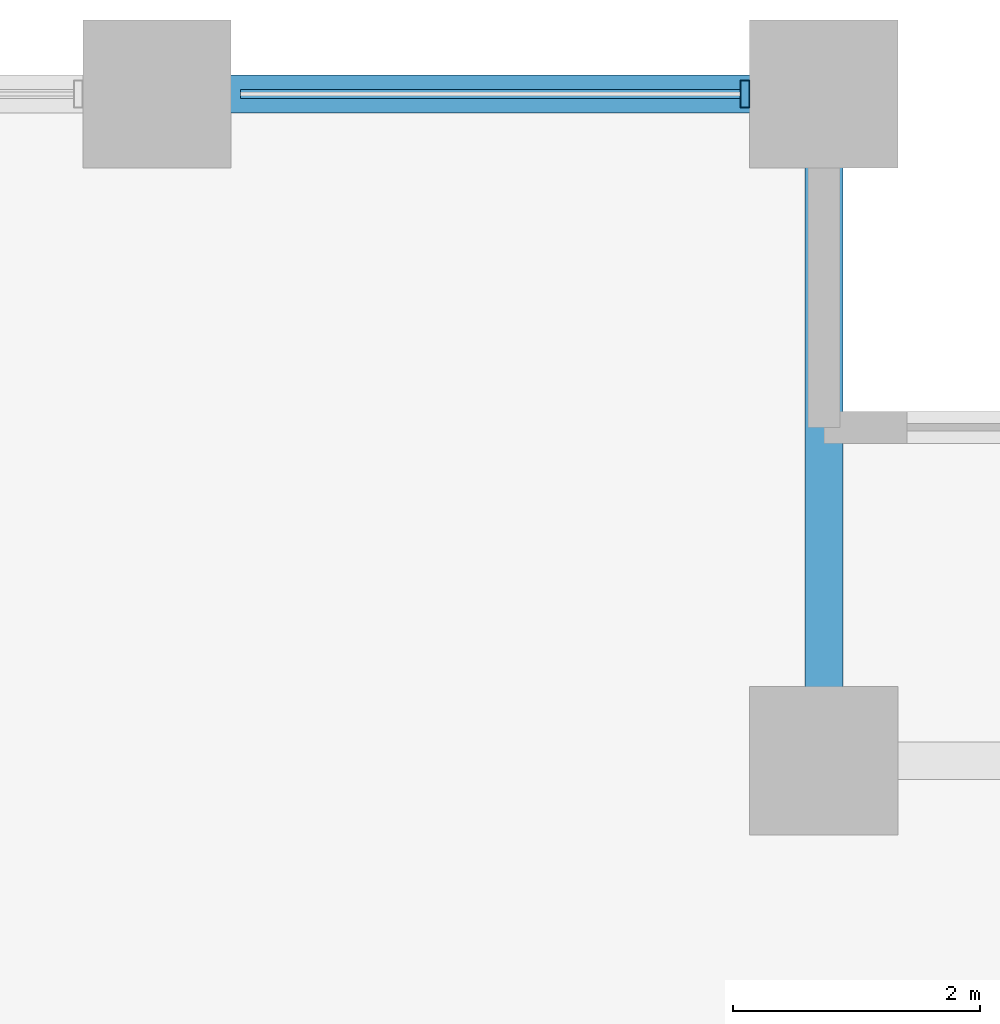
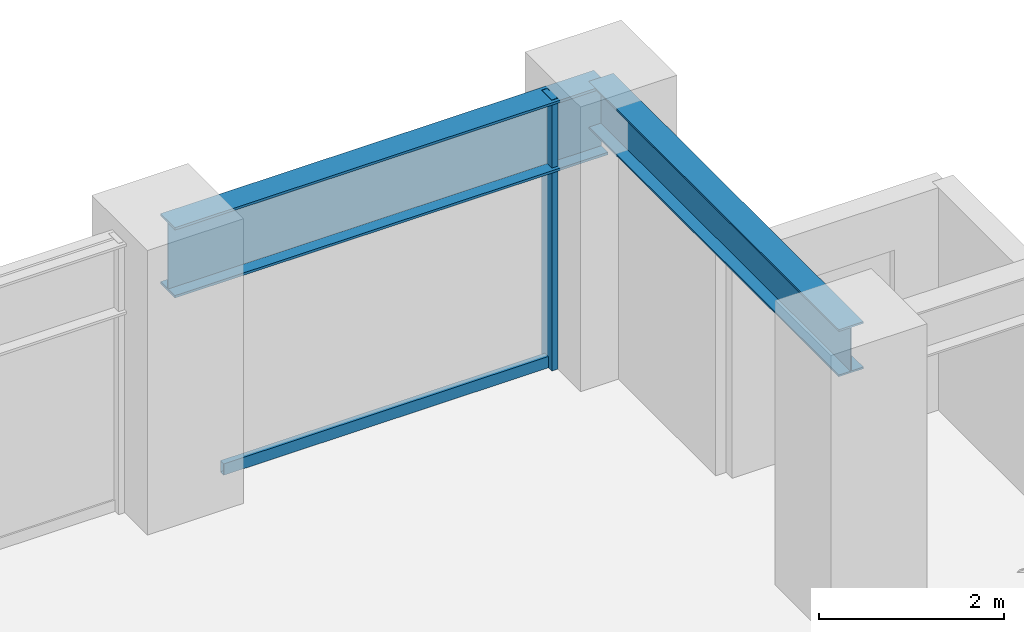
# One storey, part 16 of 28: 2 beams, 2 members, 1 element without a shape of its own.
"""IFC4 building model written with IfcOpenShell, lengths in metres."""

from ifc_helpers import new_model, si_unit, direction, frame, origin, origin_2d, place, context, subcontext, project, spatial, hollow_rectangle, i_section, extrude, material, layer, layer_set, material_profile, profile_set, type_object, element, aggregate, save


model = new_model("IFC4")

# Units and contexts
model_context = context("Model", 3, precision=1e-05, world=origin(), true_north=direction((0.0, 1.0)))
body_context = subcontext(model_context, "Body", "Model", "MODEL_VIEW")
ifc_project = project(units=[si_unit("LENGTHUNIT", "METRE"), si_unit("AREAUNIT", "SQUARE_METRE"), si_unit("VOLUMEUNIT", "CUBIC_METRE"), si_unit("PLANEANGLEUNIT", "RADIAN"), si_unit("MASSUNIT", "GRAM", prefix="KILO")], contexts=[model_context])

# Site, building, storey
site_placement = place(None, origin())
site = spatial("IfcSite", under=ifc_project, at=site_placement, CompositionType="ELEMENT")
building_placement = place(site_placement, origin())
building = spatial("IfcBuilding", under=site, at=building_placement, Name="Surkhivell Harbour Commons", CompositionType="ELEMENT")
storey_placement = place(building_placement, frame((0.0, 0.0, 63.75)))
storey = spatial("IfcBuildingStorey", under=building, at=storey_placement, Name="L16", CompositionType="ELEMENT", Elevation=63.75)

# Beams
ifc_material_1 = material(Name="Steel S355", Category="steel")
ifc_material_profile_1 = material_profile(ifc_material_1, i_section(OverallWidth=0.306884765625, OverallDepth=0.6201171875, WebThickness=0.01416015625, FlangeThickness=0.023681640625, at=origin_2d()), Name="UB610x305x179")
ifc_profile_set_1 = profile_set([ifc_material_profile_1], Name="Steel S355")
beam_type_1 = type_object("IfcBeamType", Name="BM-GRD-610A", PredefinedType="BEAM", material=ifc_profile_set_1)
beam_1_placement = place(storey_placement, frame((27.0, 20.5, 3.260009765625), z_axis=(0.0, 1.0, 0.0), x_axis=(-1.0, 0.0, 0.0)))
element("IfcBeam", 1, at=beam_1_placement, inside=storey, type_object=beam_type_1, Name="L16 Floor Girder (27.0,20.5)", PredefinedType="BEAM", context=body_context, shape_type="SweptSolid", body=[
    extrude(i_section(OverallWidth=0.306884765625, OverallDepth=0.6201171875, WebThickness=0.01416015625, FlangeThickness=0.023681640625, at=origin_2d()), origin(), (0.0, 0.0, 1.0), 5.39990234375),
])
ifc_material_2 = material(Name="Steel S460", Category="steel")
ifc_material_profile_2 = material_profile(ifc_material_2, i_section(OverallWidth=0.30810546875, OverallDepth=0.927001953125, WebThickness=0.01953125, FlangeThickness=0.031982421875, at=origin_2d()), Name="UB914x305x289")
ifc_profile_set_2 = profile_set([ifc_material_profile_2], Name="Steel S460")
beam_type_2 = type_object("IfcBeamType", Name="BM-SPN-914B", PredefinedType="SPANDREL", material=ifc_profile_set_2)
beam_2_placement = place(storey_placement, frame((21.60009765625, 25.89990234375, 3.1064453125), z_axis=(1.0, 0.0, 0.0), x_axis=(0.0, 1.0, 0.0)))
element("IfcBeam", 2, at=beam_2_placement, inside=storey, type_object=beam_type_2, Name="L16 Tube Spandrel (21.6,25.9)", PredefinedType="SPANDREL", context=body_context, shape_type="SweptSolid", body=[
    extrude(i_section(OverallWidth=0.30810546875, OverallDepth=0.927001953125, WebThickness=0.01953125, FlangeThickness=0.031982421875, at=origin_2d()), origin(), (0.0, 0.0, 1.0), 5.39990234375),
])

# Curtain wall, members
ifc_material_3 = material(Name="Anodised pale-metal aluminium and insulated glazing", Category="aluminium")
ifc_layer = layer(ifc_material_3, 0.219970703125)
ifc_layer_set = layer_set([ifc_layer], Name="Anodised pale-metal aluminium and insulated glazing")
curtain_wall_type = type_object("IfcCurtainWallType", Name="CW-SYS-Z1", PredefinedType="NOTDEFINED", material=ifc_layer_set)
curtain_wall_placement = place(storey_placement, origin())
curtain_wall = element("IfcCurtainWall", 3, at=curtain_wall_placement, inside=storey, type_object=curtain_wall_type, Name="L16 Curtain Wall CW-L16-E07S1", PredefinedType="NOTDEFINED")
ifc_material_4 = material(Name="Anodised pale-metal aluminium alloy 6063-T6", Category="aluminium")
ifc_material_profile_3 = material_profile(ifc_material_4, hollow_rectangle(XDim=0.074951171875, YDim=0.219970703125, WallThickness=0.00390625, at=origin_2d()), Name="ALU-MULL-75x220")
ifc_profile_set_3 = profile_set([ifc_material_profile_3], Name="Anodised pale-metal aluminium alloy 6063-T6")
member_type_1 = type_object("IfcMemberType", Name="CWM-220", PredefinedType="MULLION", material=ifc_profile_set_3)
member_1_placement = place(storey_placement, frame((26.360595703125, 25.89990234375, 0.0), z_axis=(0.0, 0.0, 1.0), x_axis=(-1.0, 0.0, 0.0)))
member_1 = element("IfcMember", 4, at=member_1_placement, type_object=member_type_1, Name="CW-Z1 mullion 1", PredefinedType="MULLION", context=body_context, shape_type="SweptSolid", body=[
    extrude(hollow_rectangle(XDim=0.074951171875, YDim=0.219970703125, WallThickness=0.00390625, at=origin_2d()), origin(), (0.0, 0.0, 1.0), 3.570068359375),
])
ifc_material_profile_4 = material_profile(ifc_material_4, hollow_rectangle(XDim=0.074951171875, YDim=0.14990234375, WallThickness=0.00341796875, at=origin_2d()), Name="ALU-TRAN-75x150")
ifc_profile_set_4 = profile_set([ifc_material_profile_4], Name="Anodised pale-metal aluminium alloy 6063-T6")
member_type_2 = type_object("IfcMemberType", Name="CWT-150", PredefinedType="USERDEFINED", material=ifc_profile_set_4)
member_2_placement = place(storey_placement, frame((26.322998046875, 25.89990234375, 0.074951171875), z_axis=(-1.0, 0.0, 0.0), x_axis=(0.0, -1.0, 0.0)))
member_2 = element("IfcMember", 5, at=member_2_placement, type_object=member_type_2, Name="CW-Z1 transom 1.1", ObjectType="TRANSOM", PredefinedType="USERDEFINED", context=body_context, shape_type="SweptSolid", body=[
    extrude(hollow_rectangle(XDim=0.074951171875, YDim=0.14990234375, WallThickness=0.00341796875, at=origin_2d()), origin(), (0.0, 0.0, 1.0), 4.0458984375),
])
aggregate(curtain_wall, [member_1, member_2])

save(model, "model.ifc")
